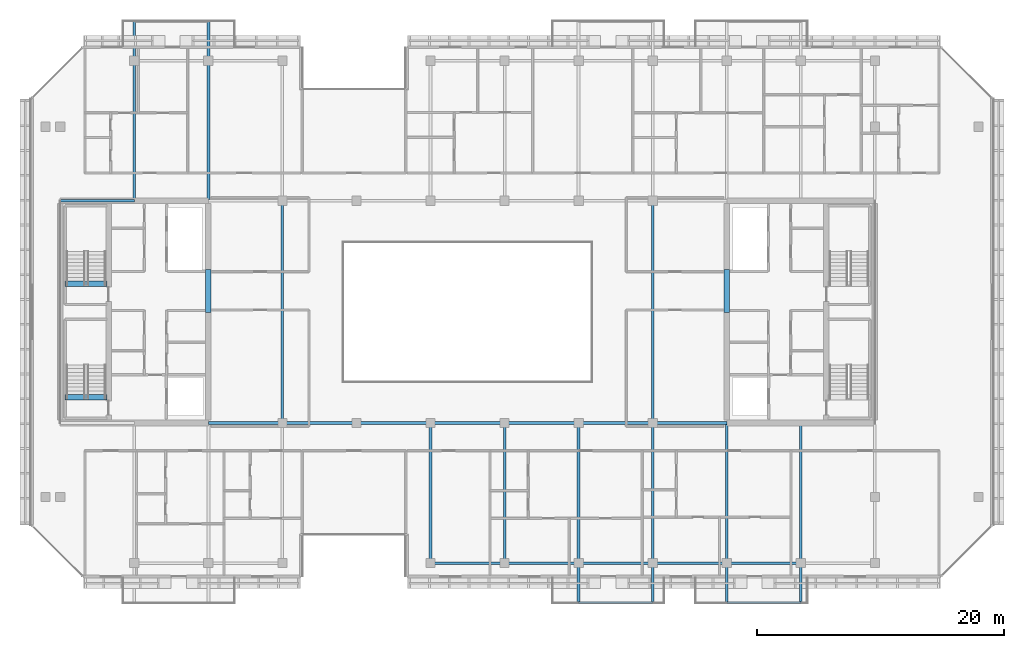
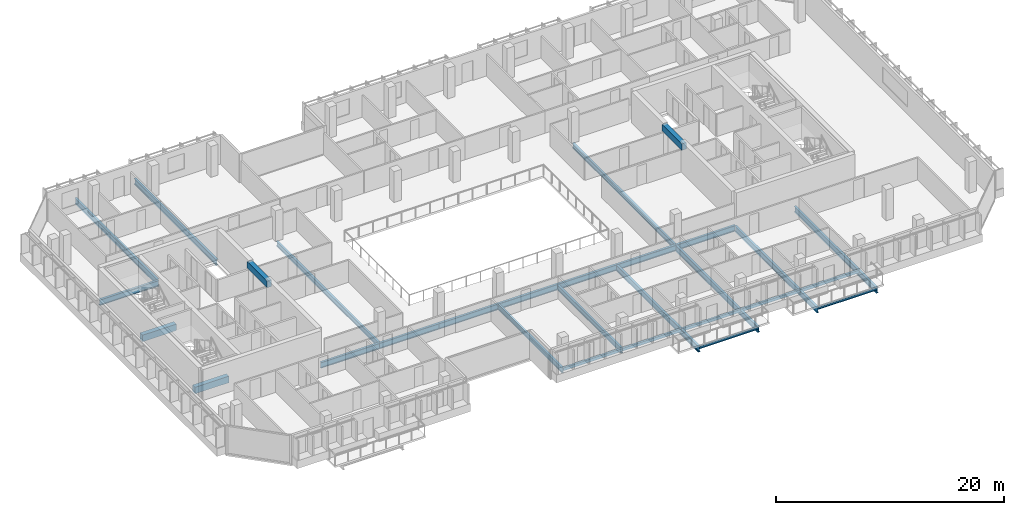
# One storey, part 5 of 25: 29 beams.
"""IFC4 building model written with IfcOpenShell, lengths in metres."""

from ifc_helpers import new_model, si_unit, direction, frame, origin, origin_2d, place, context, subcontext, project, spatial, rectangle, hollow_rectangle, i_section, extrude, material, material_profile, profile_set, type_object, element, save


model = new_model("IFC4")

# Units and contexts
model_context = context("Model", 3, precision=1e-05, world=origin(), true_north=direction((0.0, 1.0)))
body_context = subcontext(model_context, "Body", "Model", "MODEL_VIEW")
ifc_project = project(units=[si_unit("LENGTHUNIT", "METRE"), si_unit("AREAUNIT", "SQUARE_METRE"), si_unit("VOLUMEUNIT", "CUBIC_METRE"), si_unit("PLANEANGLEUNIT", "RADIAN"), si_unit("MASSUNIT", "GRAM", prefix="KILO")], contexts=[model_context])

# Site, building, storey
site_placement = place(None, origin())
site = spatial("IfcSite", under=ifc_project, at=site_placement, CompositionType="ELEMENT")
building_placement = place(site_placement, origin())
building = spatial("IfcBuilding", under=site, at=building_placement, Name="Tanjung Sevakor Pilgrim Tower", CompositionType="ELEMENT")
storey_placement = place(building_placement, frame((0.0, 0.0, 204.929931640625)))
storey = spatial("IfcBuildingStorey", under=building, at=storey_placement, Name="L57", CompositionType="ELEMENT", Elevation=204.929931640625)

# Beams
ifc_material_1 = material(Name="Steel S355J2", Category="steel")
ifc_material_profile_1 = material_profile(ifc_material_1, i_section(OverallWidth=0.22900390625, OverallDepth=0.6123046875, WebThickness=0.011962890625, FlangeThickness=0.01953125, FilletRadius=0.0126953125, at=origin_2d()))
ifc_profile_set_1 = profile_set([ifc_material_profile_1], Name="Steel S355J2")
beam_type_1 = type_object("IfcBeamType", Name="BM-B-G4-UB_610x229x125", PredefinedType="BEAM", material=ifc_profile_set_1)
for number, where, z_axis, x_axis, name in (
    (1, (36.0, 24.60009765625, -0.526123046875), (1.0, 0.0, 0.0), (0.0, 1.0, 0.0), "L57 Primary Floor Girder MAIN Y246-02"),
    (2, (42.0, 24.60009765625, -0.526123046875), (1.0, 0.0, 0.0), (0.0, 1.0, 0.0), "L57 Primary Floor Girder MAIN Y246-03"),
    (3, (48.0, 24.60009765625, -0.526123046875), (1.0, 0.0, 0.0), (0.0, 1.0, 0.0), "L57 Primary Floor Girder MAIN Y246-04"),
    (4, (54.0, 24.60009765625, -0.526123046875), (1.0, 0.0, 0.0), (0.0, 1.0, 0.0), "L57 Primary Floor Girder MAIN Y246-05"),
    (5, (60.0, 24.60009765625, -0.526123046875), (1.0, 0.0, 0.0), (0.0, 1.0, 0.0), "L57 Primary Floor Girder MAIN Y246-06"),
    (6, (66.0, 24.60009765625, -0.526123046875), (1.0, 0.0, 0.0), (0.0, 1.0, 0.0), "L57 Primary Floor Girder MAIN Y246-07"),
    (7, (72.0, 24.60009765625, -0.526123046875), (1.0, 0.0, 0.0), (0.0, 1.0, 0.0), "L57 Primary Floor Girder MAIN Y246-08"),
    (8, (24.0, 42.60009765625, -0.526123046875), (1.0, 0.0, 0.0), (0.0, 1.0, 0.0), "L57 Primary Floor Girder MAIN Y426-01"),
):
    element("IfcBeam", number, at=place(storey_placement, frame(where, z_axis=z_axis, x_axis=x_axis)), inside=storey, type_object=beam_type_1, Name=name, PredefinedType="BEAM", context=body_context, shape_type="SweptSolid", body=[
        extrude(i_section(OverallWidth=0.22900390625, OverallDepth=0.6123046875, WebThickness=0.011962890625, FlangeThickness=0.01953125, FilletRadius=0.0126953125, at=origin_2d()), origin(), (0.0, 0.0, 1.0), 6.0),
    ])
for number, where, z_axis, x_axis, name in (
    (9, (30.0, 42.714599609375, -0.526123046875), (0.0, 1.0, 0.0), (-1.0, 0.0, 0.0), "L57 Balcony Cantilever Beam MAIN-N1-1"),
    (10, (36.0, 42.714599609375, -0.526123046875), (0.0, 1.0, 0.0), (-1.0, 0.0, 0.0), "L57 Balcony Cantilever Beam MAIN-N1-2"),
):
    element("IfcBeam", number, at=place(storey_placement, frame(where, z_axis=z_axis, x_axis=x_axis)), inside=storey, type_object=beam_type_1, Name=name, PredefinedType="BEAM", context=body_context, shape_type="SweptSolid", body=[
        extrude(i_section(OverallWidth=0.22900390625, OverallDepth=0.6123046875, WebThickness=0.011962890625, FlangeThickness=0.01953125, FilletRadius=0.0126953125, at=origin_2d()), origin(), (0.0, 0.0, 1.0), 14.415283203125),
    ])
for number, where, z_axis, x_axis, name in (
    (11, (66.0, 24.60009765625, -0.526123046875), (0.0, -1.0, 0.0), (1.0, 0.0, 0.0), "L57 Balcony Cantilever Beam MAIN-S2-1"),
    (12, (72.0, 24.60009765625, -0.526123046875), (0.0, -1.0, 0.0), (1.0, 0.0, 0.0), "L57 Balcony Cantilever Beam MAIN-S2-2"),
):
    element("IfcBeam", number, at=place(storey_placement, frame(where, z_axis=z_axis, x_axis=x_axis)), inside=storey, type_object=beam_type_1, Name=name, PredefinedType="BEAM", context=body_context, shape_type="SweptSolid", body=[
        extrude(i_section(OverallWidth=0.22900390625, OverallDepth=0.6123046875, WebThickness=0.011962890625, FlangeThickness=0.01953125, FilletRadius=0.0126953125, at=origin_2d()), origin(), (0.0, 0.0, 1.0), 14.530029296875),
    ])
for number, where, z_axis, x_axis, name in (
    (13, (78.0, 24.485595703125, -0.526123046875), (0.0, -1.0, 0.0), (1.0, 0.0, 0.0), "L57 Balcony Cantilever Beam MAIN-S3-1"),
    (14, (84.0, 24.485595703125, -0.526123046875), (0.0, -1.0, 0.0), (1.0, 0.0, 0.0), "L57 Balcony Cantilever Beam MAIN-S3-2"),
):
    element("IfcBeam", number, at=place(storey_placement, frame(where, z_axis=z_axis, x_axis=x_axis)), inside=storey, type_object=beam_type_1, Name=name, PredefinedType="BEAM", context=body_context, shape_type="SweptSolid", body=[
        extrude(i_section(OverallWidth=0.22900390625, OverallDepth=0.6123046875, WebThickness=0.011962890625, FlangeThickness=0.01953125, FilletRadius=0.0126953125, at=origin_2d()), origin(), (0.0, 0.0, 1.0), 14.41552734375),
    ])
ifc_material_2 = material(Name="Steel S355J2", Category="steel")
ifc_material_profile_2 = material_profile(ifc_material_2, i_section(OverallWidth=0.2119140625, OverallDepth=0.54443359375, WebThickness=0.0126953125, FlangeThickness=0.021240234375, FilletRadius=0.0126953125, at=origin_2d()))
ifc_profile_set_2 = profile_set([ifc_material_profile_2], Name="Steel S355J2")
beam_type_2 = type_object("IfcBeamType", Name="BM-B-G5-UB_533x210x122", PredefinedType="BEAM", material=ifc_profile_set_2)
beam_1_placement = place(storey_placement, frame((42.0, 24.60009765625, -0.4921875), z_axis=(0.0, 1.0, 0.0), x_axis=(-1.0, 0.0, 0.0)))
element("IfcBeam", 15, at=beam_1_placement, inside=storey, type_object=beam_type_2, Name="L57 MAIN Girder 002", PredefinedType="BEAM", context=body_context, shape_type="SweptSolid", body=[
    extrude(i_section(OverallWidth=0.2119140625, OverallDepth=0.54443359375, WebThickness=0.0126953125, FlangeThickness=0.021240234375, FilletRadius=0.0126953125, at=origin_2d()), origin(), (0.0, 0.0, 1.0), 18.0),
])
for number, where, z_axis, x_axis, name in (
    (16, (54.0, 13.25, -0.4921875), (0.0, 1.0, 0.0), (-1.0, 0.0, 0.0), "L57 MAIN Girder 004"),
    (17, (60.0, 13.25, -0.4921875), (0.0, 1.0, 0.0), (-1.0, 0.0, 0.0), "L57 MAIN Girder 006"),
):
    element("IfcBeam", number, at=place(storey_placement, frame(where, z_axis=z_axis, x_axis=x_axis)), inside=storey, type_object=beam_type_2, Name=name, PredefinedType="BEAM", context=body_context, shape_type="SweptSolid", body=[
        extrude(i_section(OverallWidth=0.2119140625, OverallDepth=0.54443359375, WebThickness=0.0126953125, FlangeThickness=0.021240234375, FilletRadius=0.0126953125, at=origin_2d()), origin(), (0.0, 0.0, 1.0), 11.35009765625),
    ])
beam_2_placement = place(storey_placement, frame((72.0, 24.60009765625, -0.4921875), z_axis=(0.0, 1.0, 0.0), x_axis=(-1.0, 0.0, 0.0)))
element("IfcBeam", 18, at=beam_2_placement, inside=storey, type_object=beam_type_2, Name="L57 MAIN Girder 008", PredefinedType="BEAM", context=body_context, shape_type="SweptSolid", body=[
    extrude(i_section(OverallWidth=0.2119140625, OverallDepth=0.54443359375, WebThickness=0.0126953125, FlangeThickness=0.021240234375, FilletRadius=0.0126953125, at=origin_2d()), origin(), (0.0, 0.0, 1.0), 18.0),
])
ifc_material_3 = material(Name="Steel S355J2", Category="steel")
ifc_material_profile_3 = material_profile(ifc_material_3, i_section(OverallWidth=0.146484375, OverallDepth=0.256103515625, WebThickness=0.00634765625, FlangeThickness=0.010986328125, FilletRadius=0.007568359375, at=origin_2d()))
ifc_profile_set_3 = profile_set([ifc_material_profile_3], Name="Steel S355J2")
beam_type_3 = type_object("IfcBeamType", Name="BM-B-J6-UB_254x146x37", PredefinedType="JOIST", material=ifc_profile_set_3)
for number, where, z_axis, x_axis, name in (
    (19, (66.0, 10.070068359375, -0.327880859375), (1.0, 0.0, 0.0), (0.0, 1.0, 0.0), "L57 Balcony Rim Tie MAIN-S2"),
    (20, (78.0, 10.070068359375, -0.327880859375), (1.0, 0.0, 0.0), (0.0, 1.0, 0.0), "L57 Balcony Rim Tie MAIN-S3"),
):
    element("IfcBeam", number, at=place(storey_placement, frame(where, z_axis=z_axis, x_axis=x_axis)), inside=storey, type_object=beam_type_3, Name=name, PredefinedType="JOIST", context=body_context, shape_type="SweptSolid", body=[
        extrude(i_section(OverallWidth=0.146484375, OverallDepth=0.256103515625, WebThickness=0.00634765625, FlangeThickness=0.010986328125, FilletRadius=0.007568359375, at=origin_2d()), origin(), (0.0, 0.0, 1.0), 6.0),
    ])
ifc_material_4 = material(Name="Concrete C60/75", Category="concrete")
ifc_material_profile_4 = material_profile(ifc_material_4, rectangle(XDim=0.449951171875, YDim=0.699951171875, at=origin_2d()))
ifc_profile_set_4 = profile_set([ifc_material_profile_4], Name="Concrete C60/75")
beam_type_4 = type_object("IfcBeamType", Name="BM-B-LN3-RC-BM_450x700", PredefinedType="LINTEL", material=ifc_profile_set_4)
for number, where, z_axis, x_axis, name in (
    (21, (36.0, 33.550048828125, 2.72998046875), (0.0, 1.0, 0.0), (-1.0, 0.0, 0.0), "L57 W Core Coupling Lintel"),
    (22, (78.0, 33.550048828125, 2.72998046875), (0.0, 1.0, 0.0), (-1.0, 0.0, 0.0), "L57 E Core Coupling Lintel"),
):
    element("IfcBeam", number, at=place(storey_placement, frame(where, z_axis=z_axis, x_axis=x_axis)), inside=storey, type_object=beam_type_4, Name=name, PredefinedType="LINTEL", context=body_context, shape_type="SweptSolid", body=[
        extrude(rectangle(XDim=0.449951171875, YDim=0.699951171875, at=origin_2d()), origin(), (0.0, 0.0, 1.0), 3.5),
    ])
for number, where, z_axis, x_axis, name in (
    (23, (24.39990234375, 26.699951171875, -0.349853515625), (1.0, 0.0, 0.0), (0.0, 1.0, 0.0), "L57 TS-W1 Stair Threshold Beam"),
    (24, (24.39990234375, 35.89990234375, -0.349853515625), (1.0, 0.0, 0.0), (0.0, 1.0, 0.0), "L57 TS-W2 Stair Threshold Beam"),
):
    element("IfcBeam", number, at=place(storey_placement, frame(where, z_axis=z_axis, x_axis=x_axis)), inside=storey, type_object=beam_type_4, Name=name, PredefinedType="LINTEL", context=body_context, shape_type="SweptSolid", body=[
        extrude(rectangle(XDim=0.449951171875, YDim=0.699951171875, at=origin_2d()), origin(), (0.0, 0.0, 1.0), 3.400146484375),
    ])
ifc_material_5 = material(Name="Steel S355J2", Category="steel")
ifc_material_profile_5 = material_profile(ifc_material_5, hollow_rectangle(XDim=0.199951171875, YDim=0.300048828125, WallThickness=0.012451171875, at=origin_2d()))
ifc_profile_set_5 = profile_set([ifc_material_profile_5], Name="Steel S355J2")
beam_type_5 = type_object("IfcBeamType", Name="BM-B-SP3-RHS_300x200x12.5", PredefinedType="SPANDREL", material=ifc_profile_set_5)
for number, where, z_axis, x_axis, name in (
    (25, (54.0, 13.25, -0.369873046875), (1.0, 0.0, 0.0), (0.0, 1.0, 0.0), "L57 Spandrel MAIN S-05"),
    (26, (60.0, 13.25, -0.369873046875), (1.0, 0.0, 0.0), (0.0, 1.0, 0.0), "L57 Spandrel MAIN S-07"),
    (27, (66.0, 13.25, -0.369873046875), (1.0, 0.0, 0.0), (0.0, 1.0, 0.0), "L57 Spandrel MAIN S-09"),
    (28, (72.0, 13.25, -0.369873046875), (1.0, 0.0, 0.0), (0.0, 1.0, 0.0), "L57 Spandrel MAIN S-11"),
    (29, (78.0, 13.25, -0.369873046875), (1.0, 0.0, 0.0), (0.0, 1.0, 0.0), "L57 Spandrel MAIN S-13"),
):
    element("IfcBeam", number, at=place(storey_placement, frame(where, z_axis=z_axis, x_axis=x_axis)), inside=storey, type_object=beam_type_5, Name=name, PredefinedType="SPANDREL", context=body_context, shape_type="SweptSolid", body=[
        extrude(hollow_rectangle(XDim=0.199951171875, YDim=0.300048828125, WallThickness=0.012451171875, at=origin_2d()), origin(), (0.0, 0.0, 1.0), 6.0),
    ])

save(model, "model.ifc")
